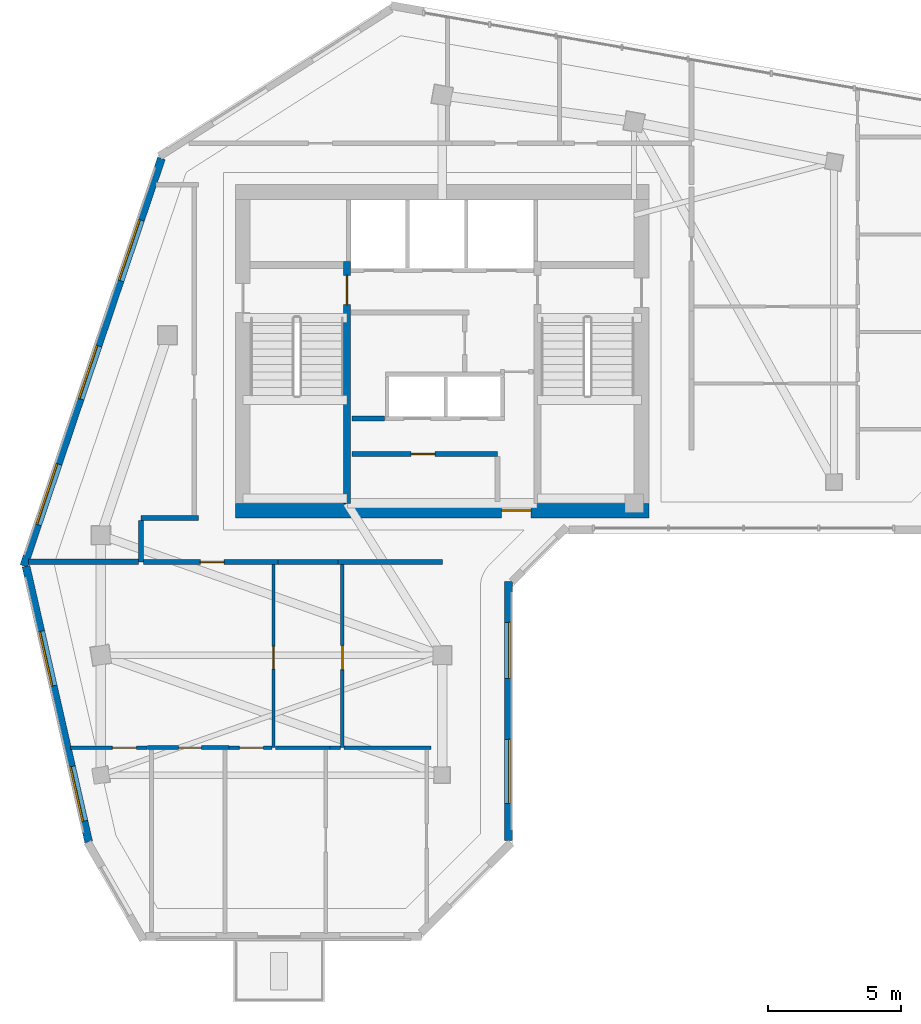
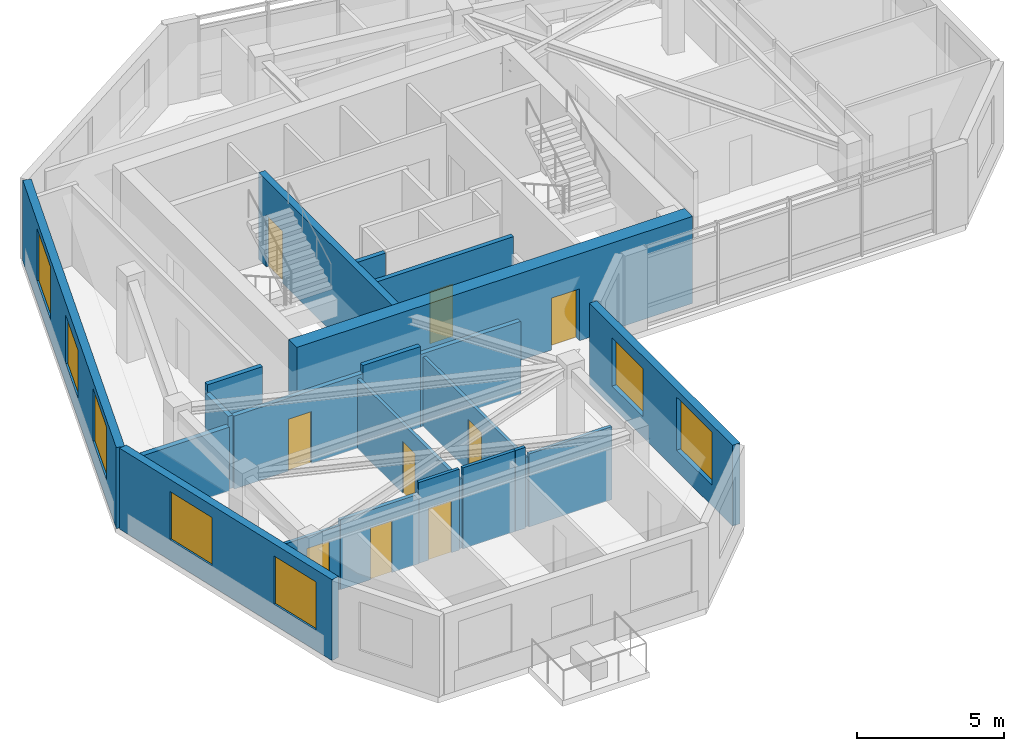
# One storey, part 4 of 10: 21 walls, 9 doors, 7 windows, 16 openings.
"""IFC4 building model written with IfcOpenShell, lengths in metres."""

from ifc_helpers import new_model, si_unit, direction, frame, frame_2d, origin, place, context, subcontext, project, spatial, rectangle, extrude, source, transform, mapped, material, layer, layer_set, type_object, element, fill, save


model = new_model("IFC4")

# Units and contexts
model_context = context("Model", 3, precision=1e-05, world=origin(), true_north=direction((0.0, 1.0)))
body_context = subcontext(model_context, "Body", "Model", "MODEL_VIEW")
ifc_project = project(units=[si_unit("LENGTHUNIT", "METRE"), si_unit("AREAUNIT", "SQUARE_METRE"), si_unit("VOLUMEUNIT", "CUBIC_METRE"), si_unit("PLANEANGLEUNIT", "RADIAN"), si_unit("MASSUNIT", "GRAM", prefix="KILO")], contexts=[model_context])

# Site, building, storey
site_placement = place(None, origin())
site = spatial("IfcSite", under=ifc_project, at=site_placement, CompositionType="ELEMENT")
building_placement = place(site_placement, origin())
building = spatial("IfcBuilding", under=site, at=building_placement, Name="Calvemar Wedge Station Tower", CompositionType="ELEMENT")
storey_placement = place(building_placement, frame((0.0, 0.0, 252.89990234375)))
storey = spatial("IfcBuildingStorey", under=building, at=storey_placement, Name="L64", CompositionType="ELEMENT", Elevation=252.89990234375)

# Wall, opening, door
ifc_material_1 = material(Name="Concrete C50", Category="concrete")
ifc_layer_1 = layer(ifc_material_1, 0.260009765625)
ifc_layer_set_1 = layer_set([ifc_layer_1], Name="Concrete C50")
wall_type_1 = type_object("IfcWallType", Name="SW-CORE-260", PredefinedType="SHEAR", material=ifc_layer_set_1)
wall_1_placement = place(storey_placement, frame((20.22998046875, 34.199951171875, 0.0), z_axis=(0.0, 0.0, 1.0), x_axis=(0.0, 1.0, 0.0)))
wall_1 = element("IfcWall", 1, at=wall_1_placement, inside=storey, type_object=wall_type_1, Name="Storey L64 Core Shear Wall SPINE-W", PredefinedType="SHEAR", context=body_context, shape_type="SweptSolid", body=[
    extrude(rectangle(XDim=9.06005859375, YDim=0.260009765625, at=frame_2d((4.530029296875, 0.0))), origin(), (0.0, 0.0, 1.0), 3.60009765625),
])
shared_shape_1 = source(origin(), body_context, "Body", "SweptSolid", [
    extrude(rectangle(XDim=1.10009765625, YDim=2.14990234375, at=frame_2d((0.550048828125, 1.074951171875))), frame((0.0, 0.14013671875, 0.0), z_axis=(0.0, -1.0, 0.0), x_axis=(1.0, 0.0, 0.0)), (0.0, 0.0, 1.0), 0.280029296875),
])
opening_1_placement = place(wall_1_placement, frame((7.449951171875, 0.0, 0.0)))
opening_1 = element("IfcOpeningElement", 2, at=opening_1_placement, cuts=wall_1, Name="Opening FD-90", PredefinedType="OPENING", context=body_context, shape_type="MappedRepresentation", body=[
    mapped(shared_shape_1, transform((0.0, 0.0, 0.0), scale=1.0)),
])
ifc_material_2 = material(Name="Galvanized fire-rated steel door leaf P-90", Category="steel")
door_type_1 = type_object("IfcDoorType", Name="DR-FD90-1100", OperationType="NOTDEFINED", PredefinedType="DOOR", material=ifc_material_2)
shared_shape_2 = source(origin(), body_context, "Body", "SweptSolid", [
    extrude(rectangle(XDim=1.10009765625, YDim=2.14990234375, at=frame_2d((0.550048828125, 1.074951171875))), frame((0.0, 0.02490234375, 0.0), z_axis=(0.0, -1.0, 0.0), x_axis=(1.0, 0.0, 0.0)), (0.0, 0.0, 1.0), 0.050048828125),
])
door_1_placement = place(opening_1_placement, origin())
door_1 = element("IfcDoor", 3, at=door_1_placement, inside=storey, type_object=door_type_1, Name="L64 FF Lobby to Stair ST-C1 Door", OperationType="SINGLE_SWING_RIGHT", OverallHeight=2.14990234375, OverallWidth=1.10009765625, PredefinedType="DOOR", context=body_context, shape_type="MappedRepresentation", body=[
    mapped(shared_shape_2, transform((0.0, 0.0, 0.0), scale=1.0)),
])
fill(opening_1, door_1)

ifc_material_3 = material(Name="Concrete C60", Category="concrete")
ifc_layer_2 = layer(ifc_material_3, 0.550048828125)
ifc_layer_set_2 = layer_set([ifc_layer_2], Name="Concrete C60")
wall_type_2 = type_object("IfcWallType", Name="SW-CORE-550", PredefinedType="SHEAR", material=ifc_layer_set_2)
wall_2_placement = place(storey_placement, frame((16.050048828125, 33.925048828125, 0.0), z_axis=(0.0, 0.0, 1.0), x_axis=(1.0, 0.0, 0.0)))
wall_2 = element("IfcWall", 4, at=wall_2_placement, inside=storey, type_object=wall_type_2, Name="Storey L64 Core Shear Wall S", PredefinedType="SHEAR", context=body_context, shape_type="SweptSolid", body=[
    extrude(rectangle(XDim=15.5, YDim=0.550048828125, at=frame_2d((7.75, 0.0))), origin(), (0.0, 0.0, 1.0), 3.60009765625),
])
shared_shape_3 = source(origin(), body_context, "Body", "SweptSolid", [
    extrude(rectangle(XDim=1.10009765625, YDim=2.14990234375, at=frame_2d((0.550048828125, 1.074951171875))), frame((0.0, 0.28515625, 0.0), z_axis=(0.0, -1.0, 0.0), x_axis=(1.0, 0.0, 0.0)), (0.0, 0.0, 1.0), 0.570068359375),
])
opening_2_placement = place(wall_2_placement, frame((9.97998046875, 0.0, 0.0)))
opening_2 = element("IfcOpeningElement", 5, at=opening_2_placement, cuts=wall_2, Name="Opening FD-90", PredefinedType="OPENING", context=body_context, shape_type="MappedRepresentation", body=[
    mapped(shared_shape_3, transform((0.0, 0.0, 0.0), scale=1.0)),
])
door_2_placement = place(opening_2_placement, origin())
door_2 = element("IfcDoor", 6, at=door_2_placement, inside=storey, type_object=door_type_1, Name="L64 Passenger Lift Lobby Door", OperationType="SINGLE_SWING_RIGHT", OverallHeight=2.14990234375, OverallWidth=1.10009765625, PredefinedType="DOOR", context=body_context, shape_type="MappedRepresentation", body=[
    mapped(shared_shape_2, transform((0.0, 0.0, 0.0), scale=1.0)),
])
fill(opening_2, door_2)

# Wall
ifc_material_4 = material(Name="Double-stud fire-rated corridor partition")
ifc_layer_3 = layer(ifc_material_4, 0.179931640625)
ifc_layer_set_3 = layer_set([ifc_layer_3], Name="Double-stud fire-rated corridor partition")
wall_type_3 = type_object("IfcWallType", Name="W-CORR-180", PredefinedType="PARTITIONING", material=ifc_layer_set_3)
wall_3_placement = place(storey_placement, frame((21.6298828125, 37.3798828125, 0.0), z_axis=(0.0, 0.0, 1.0), x_axis=(-1.0, 0.0, 0.0)))
element("IfcWall", 7, at=wall_3_placement, inside=storey, type_object=wall_type_3, Name="Storey L64 Interior Partition WL-L64-003", PredefinedType="PARTITIONING", context=body_context, shape_type="SweptSolid", body=[
    extrude(rectangle(XDim=1.2099609375, YDim=0.179931640625, at=frame_2d((0.60498046875, 0.0))), origin(), (0.0, 0.0, 1.0), 3.35009765625),
])

# Wall, opening, door
wall_4_placement = place(storey_placement, frame((20.419921875, 36.050048828125, 0.0), z_axis=(0.0, 0.0, 1.0), x_axis=(1.0, 0.0, 0.0)))
wall_4 = element("IfcWall", 8, at=wall_4_placement, inside=storey, type_object=wall_type_3, Name="Storey L64 Interior Partition WL-L64-005", PredefinedType="PARTITIONING", context=body_context, shape_type="SweptSolid", body=[
    extrude(rectangle(XDim=5.4599609375, YDim=0.179931640625, at=frame_2d((2.72998046875, 0.0))), origin(), (0.0, 0.0, 1.0), 3.35009765625),
])
shared_shape_4 = source(origin(), body_context, "Body", "SweptSolid", [
    extrude(rectangle(XDim=0.89990234375, YDim=2.14990234375, at=frame_2d((0.449951171875, 1.074951171875))), frame((0.0, 0.10009765625, 0.0), z_axis=(0.0, -1.0, 0.0), x_axis=(1.0, 0.0, 0.0)), (0.0, 0.0, 1.0), 0.199951171875),
])
opening_3_placement = place(wall_4_placement, frame((2.219482421875, 0.0, 0.0)))
opening_3 = element("IfcOpeningElement", 9, at=opening_3_placement, cuts=wall_4, Name="Opening FD-60", PredefinedType="OPENING", context=body_context, shape_type="MappedRepresentation", body=[
    mapped(shared_shape_4, transform((0.0, 0.0, 0.0), scale=1.0)),
])
ifc_material_5 = material(Name="Fire-rated acoustic timber-core entrance door EI 60", Category="wood")
door_type_2 = type_object("IfcDoorType", Name="DR-FD60-900", OperationType="NOTDEFINED", PredefinedType="DOOR", material=ifc_material_5)
shared_shape_5 = source(origin(), body_context, "Body", "SweptSolid", [
    extrude(rectangle(XDim=0.89990234375, YDim=2.14990234375, at=frame_2d((0.449951171875, 1.074951171875))), frame((0.0, 0.02490234375, 0.0), z_axis=(0.0, -1.0, 0.0), x_axis=(1.0, 0.0, 0.0)), (0.0, 0.0, 1.0), 0.050048828125),
])
door_3_placement = place(opening_3_placement, origin())
door_3 = element("IfcDoor", 10, at=door_3_placement, inside=storey, type_object=door_type_2, Name="L64 Wine and Parcel Store Door", OperationType="SINGLE_SWING_LEFT", OverallHeight=2.14990234375, OverallWidth=0.89990234375, PredefinedType="DOOR", context=body_context, shape_type="MappedRepresentation", body=[
    mapped(shared_shape_5, transform((0.0, 0.0, 0.0), scale=1.0)),
])
fill(opening_3, door_3)

# Walls
wall_5_placement = place(storey_placement, frame((12.5, 33.64990234375, 0.0), z_axis=(0.0, 0.0, 1.0), x_axis=(1.0, 0.0, 0.0)))
element("IfcWall", 11, at=wall_5_placement, inside=storey, type_object=wall_type_3, Name="Storey L64 Interior Partition WL-L64-007", PredefinedType="PARTITIONING", context=body_context, shape_type="SweptSolid", body=[
    extrude(rectangle(XDim=2.159912109375, YDim=0.179931640625, at=frame_2d((1.080078125, 0.0))), origin(), (0.0, 0.0, 1.0), 3.35009765625),
])
wall_6_placement = place(storey_placement, frame((12.5, 32.0, 0.0), z_axis=(0.0, 0.0, 1.0), x_axis=(0.0, 1.0, 0.0)))
element("IfcWall", 12, at=wall_6_placement, inside=storey, type_object=wall_type_3, Name="Storey L64 Interior Partition WL-L64-008", PredefinedType="PARTITIONING", context=body_context, shape_type="SweptSolid", body=[
    extrude(rectangle(XDim=1.555908203125, YDim=0.179931640625, at=frame_2d((0.77783203125, 0.0))), origin(), (0.0, 0.0, 1.0), 3.01904296875),
])
wall_7_placement = place(storey_placement, frame((23.818115234375, 32.0, 0.0), z_axis=(0.0, 0.0, 1.0), x_axis=(-1.0, 0.0, 0.0)))
element("IfcWall", 13, at=wall_7_placement, inside=storey, type_object=wall_type_3, Name="Storey L64 Interior Partition WL-L64-009", PredefinedType="PARTITIONING", context=body_context, shape_type="SweptSolid", body=[
    extrude(rectangle(XDim=3.920166015625, YDim=0.179931640625, at=frame_2d((1.9599609375, 0.0))), origin(), (0.0, 0.0, 1.0), 3.01904296875),
])

# Wall, opening, door
wall_8_placement = place(storey_placement, frame((17.635009765625, 32.0, 0.0), z_axis=(0.0, 0.0, 1.0), x_axis=(-1.0, 0.0, 0.0)))
wall_8 = element("IfcWall", 14, at=wall_8_placement, inside=storey, type_object=wall_type_3, Name="Storey L64 Interior Partition WL-L64-010", PredefinedType="PARTITIONING", context=body_context, shape_type="SweptSolid", body=[
    extrude(rectangle(XDim=5.041015625, YDim=0.179931640625, at=frame_2d((2.5205078125, 0.0))), origin(), (0.0, 0.0, 1.0), 3.01904296875),
])
opening_4_placement = place(wall_8_placement, frame((2.0087890625, 0.0, 0.0)))
opening_4 = element("IfcOpeningElement", 15, at=opening_4_placement, cuts=wall_8, Name="Opening FD-60", PredefinedType="OPENING", context=body_context, shape_type="MappedRepresentation", body=[
    mapped(shared_shape_4, transform((0.0, 0.0, 0.0), scale=1.0)),
])
door_4_placement = place(opening_4_placement, origin())
door_4 = element("IfcDoor", 16, at=door_4_placement, inside=storey, type_object=door_type_2, Name="L64 Living Dining Door", OperationType="SINGLE_SWING_LEFT", OverallHeight=2.14990234375, OverallWidth=0.89990234375, PredefinedType="DOOR", context=body_context, shape_type="MappedRepresentation", body=[
    mapped(shared_shape_5, transform((0.0, 0.0, 0.0), scale=1.0)),
])
fill(opening_4, door_4)

# Walls
wall_9_placement = place(storey_placement, frame((19.89599609375, 32.0, 0.0), z_axis=(0.0, 0.0, 1.0), x_axis=(-1.0, 0.0, 0.0)))
element("IfcWall", 17, at=wall_9_placement, inside=storey, type_object=wall_type_3, Name="Storey L64 Interior Partition WL-L64-011", PredefinedType="PARTITIONING", context=body_context, shape_type="SweptSolid", body=[
    extrude(rectangle(XDim=2.259033203125, YDim=0.179931640625, at=frame_2d((1.12939453125, 0.0))), origin(), (0.0, 0.0, 1.0), 3.35009765625),
])
ifc_material_6 = material(Name="Twin-stud fire-rated inter-tenancy wall")
ifc_layer_4 = layer(ifc_material_6, 0.199951171875)
ifc_layer_set_4 = layer_set([ifc_layer_4], Name="Twin-stud fire-rated inter-tenancy wall")
wall_type_4 = type_object("IfcWallType", Name="W-DEMISE-200", PredefinedType="PARTITIONING", material=ifc_layer_set_4)
wall_10_placement = place(storey_placement, frame((12.406005859375, 32.0, 0.0), z_axis=(0.0, 0.0, 1.0), x_axis=(-1.0, 0.0, 0.0)))
element("IfcWall", 18, at=wall_10_placement, inside=storey, type_object=wall_type_4, Name="Storey L64 Interior Partition WL-L64-021", PredefinedType="PARTITIONING", context=body_context, shape_type="SweptSolid", body=[
    extrude(rectangle(XDim=4.126220703125, YDim=0.199951171875, at=frame_2d((2.06298828125, 0.0))), origin(), (0.0, 0.0, 1.0), 2.64208984375),
])

# Wall, openings, windows
ifc_material_7 = material(Name="Precast concrete C45", Category="concrete")
ifc_layer_5 = layer(ifc_material_7, 0.300048828125)
ifc_layer_set_5 = layer_set([ifc_layer_5], Name="Precast concrete C45")
wall_type_5 = type_object("IfcWallType", Name="W-EXT-GFRC-300", PredefinedType="SOLIDWALL", material=ifc_layer_set_5)
wall_11_placement = place(storey_placement, frame((26.281982421875, 21.557373046875, 0.0), z_axis=(0.0, 0.0, 1.0), x_axis=(0.0, 1.0, 0.0)))
wall_11 = element("IfcWall", 19, at=wall_11_placement, inside=storey, type_object=wall_type_5, Name="Storey L64 Bronze GFRC Exterior Wall 4", PredefinedType="SOLIDWALL", context=body_context, shape_type="SweptSolid", body=[
    extrude(rectangle(XDim=9.710693359375, YDim=0.300048828125, at=frame_2d((4.85546875, 0.0))), origin(), (0.0, 0.0, 1.0), 3.35009765625),
])
shared_shape_6 = source(origin(), body_context, "Body", "SweptSolid", [
    extrude(rectangle(XDim=2.39990234375, YDim=2.199951171875, at=frame_2d((1.199951171875, 1.10009765625))), frame((0.0, 0.16015625, 0.0), z_axis=(0.0, -1.0, 0.0), x_axis=(1.0, 0.0, 0.0)), (0.0, 0.0, 1.0), 0.320068359375),
])
opening_5_placement = place(wall_11_placement, frame((1.387939453125, 0.0, 0.85009765625)))
opening_5 = element("IfcOpeningElement", 20, at=opening_5_placement, cuts=wall_11, Name="Opening W1", PredefinedType="OPENING", context=body_context, shape_type="MappedRepresentation", body=[
    mapped(shared_shape_6, transform((0.0, 0.0, 0.0), scale=1.0)),
])
shared_shape_7 = source(origin(), body_context, "Body", "SweptSolid", [
    extrude(rectangle(XDim=2.10009765625, YDim=2.0, at=frame_2d((1.050048828125, 1.0))), frame((0.0, 0.16015625, 0.0), z_axis=(0.0, -1.0, 0.0), x_axis=(1.0, 0.0, 0.0)), (0.0, 0.0, 1.0), 0.320068359375),
])
opening_6_placement = place(wall_11_placement, frame((6.072998046875, 0.0, 0.85009765625)))
opening_6 = element("IfcOpeningElement", 21, at=opening_6_placement, cuts=wall_11, Name="Opening W4", PredefinedType="OPENING", context=body_context, shape_type="MappedRepresentation", body=[
    mapped(shared_shape_7, transform((0.0, 0.0, 0.0), scale=1.0)),
])
ifc_material_8 = material(Name="Low-E laminated insulated glass", Category="glass")
window_type_1 = type_object("IfcWindowType", Name="WIN-EXT-4", PartitioningType="SINGLE_PANEL", PredefinedType="WINDOW", material=ifc_material_8)
shared_shape_8 = source(origin(), body_context, "Body", "SweptSolid", [
    extrude(rectangle(XDim=2.10009765625, YDim=2.0, at=frame_2d((1.050048828125, 1.0))), frame((0.0, -0.014892578125, 0.0), z_axis=(0.0, -1.0, 0.0), x_axis=(1.0, 0.0, 0.0)), (0.0, 0.0, 1.0), 0.06005859375),
])
window_1_placement = place(opening_6_placement, origin())
window_1 = element("IfcWindow", 22, at=window_1_placement, inside=storey, type_object=window_type_1, Name="Storey L64 Recessed Window 4.2", OverallHeight=2.0, OverallWidth=2.10009765625, PartitioningType="SINGLE_PANEL", PredefinedType="WINDOW", context=body_context, shape_type="MappedRepresentation", body=[
    mapped(shared_shape_8, transform((0.0, 0.0, 0.0), scale=1.0)),
])
fill(opening_6, window_1)
window_type_2 = type_object("IfcWindowType", Name="WIN-EXT-1", PartitioningType="SINGLE_PANEL", PredefinedType="WINDOW", material=ifc_material_8)
shared_shape_9 = source(origin(), body_context, "Body", "SweptSolid", [
    extrude(rectangle(XDim=2.39990234375, YDim=2.199951171875, at=frame_2d((1.199951171875, 1.10009765625))), frame((0.0, -0.014892578125, 0.0), z_axis=(0.0, -1.0, 0.0), x_axis=(1.0, 0.0, 0.0)), (0.0, 0.0, 1.0), 0.06005859375),
])
window_2_placement = place(opening_5_placement, origin())
window_2 = element("IfcWindow", 23, at=window_2_placement, inside=storey, type_object=window_type_2, Name="Storey L64 Recessed Window 4.1", OverallHeight=2.199951171875, OverallWidth=2.39990234375, PartitioningType="SINGLE_PANEL", PredefinedType="WINDOW", context=body_context, shape_type="MappedRepresentation", body=[
    mapped(shared_shape_9, transform((0.0, 0.0, 0.0), scale=1.0)),
])
fill(opening_5, window_2)

wall_12_placement = place(storey_placement, frame((13.2685546875, 47.1337890625, 0.0), z_axis=(0.0, 0.0, 1.0), x_axis=(-0.3199211297, -0.947444178182, 0.0)))
wall_12 = element("IfcWall", 24, at=wall_12_placement, inside=storey, type_object=wall_type_5, Name="Storey L64 Bronze GFRC Exterior Wall 12", PredefinedType="SOLIDWALL", context=body_context, shape_type="SweptSolid", body=[
    extrude(rectangle(XDim=16.1318359375, YDim=0.300048828125, at=frame_2d((8.06591796875, 0.0))), origin(), (0.0, 0.0, 1.0), 3.35009765625),
])
opening_7_placement = place(wall_12_placement, frame((2.43505859375, 0.0, 0.85009765625)))
opening_7 = element("IfcOpeningElement", 25, at=opening_7_placement, cuts=wall_12, Name="Opening W1", PredefinedType="OPENING", context=body_context, shape_type="MappedRepresentation", body=[
    mapped(shared_shape_6, transform((0.0, 0.0, 0.0), scale=1.0)),
])
opening_8_placement = place(wall_12_placement, frame((7.4169921875, 0.0, 0.85009765625)))
opening_8 = element("IfcOpeningElement", 26, at=opening_8_placement, cuts=wall_12, Name="Opening W4", PredefinedType="OPENING", context=body_context, shape_type="MappedRepresentation", body=[
    mapped(shared_shape_7, transform((0.0, 0.0, 0.0), scale=1.0)),
])
opening_9_placement = place(wall_12_placement, frame((12.09912109375, 0.0, 0.85009765625)))
opening_9 = element("IfcOpeningElement", 27, at=opening_9_placement, cuts=wall_12, Name="Opening W1", PredefinedType="OPENING", context=body_context, shape_type="MappedRepresentation", body=[
    mapped(shared_shape_6, transform((0.0, 0.0, 0.0), scale=1.0)),
])
window_3_placement = place(opening_8_placement, origin())
window_3 = element("IfcWindow", 28, at=window_3_placement, inside=storey, type_object=window_type_1, Name="Storey L64 Recessed Window 12.2", OverallHeight=2.0, OverallWidth=2.10009765625, PartitioningType="SINGLE_PANEL", PredefinedType="WINDOW", context=body_context, shape_type="MappedRepresentation", body=[
    mapped(shared_shape_8, transform((0.0, 0.0, 0.0), scale=1.0)),
])
fill(opening_8, window_3)
window_4_placement = place(opening_7_placement, origin())
window_4 = element("IfcWindow", 29, at=window_4_placement, inside=storey, type_object=window_type_2, Name="Storey L64 Recessed Window 12.1", OverallHeight=2.199951171875, OverallWidth=2.39990234375, PartitioningType="SINGLE_PANEL", PredefinedType="WINDOW", context=body_context, shape_type="MappedRepresentation", body=[
    mapped(shared_shape_9, transform((0.0, 0.0, 0.0), scale=1.0)),
])
fill(opening_7, window_4)
window_5_placement = place(opening_9_placement, origin())
window_5 = element("IfcWindow", 30, at=window_5_placement, inside=storey, type_object=window_type_2, Name="Storey L64 Recessed Window 12.3", OverallHeight=2.199951171875, OverallWidth=2.39990234375, PartitioningType="SINGLE_PANEL", PredefinedType="WINDOW", context=body_context, shape_type="MappedRepresentation", body=[
    mapped(shared_shape_9, transform((0.0, 0.0, 0.0), scale=1.0)),
])
fill(opening_9, window_5)

wall_13_placement = place(storey_placement, frame((8.19140625, 31.834228515625, 0.0), z_axis=(0.0, 0.0, 1.0), x_axis=(0.221636032737, -0.975129462683, 0.0)))
wall_13 = element("IfcWall", 31, at=wall_13_placement, inside=storey, type_object=wall_type_5, Name="Storey L64 Bronze GFRC Exterior Wall 13", PredefinedType="SOLIDWALL", context=body_context, shape_type="SweptSolid", body=[
    extrude(rectangle(XDim=10.602294921875, YDim=0.300048828125, at=frame_2d((5.30126953125, 0.0))), origin(), (0.0, 0.0, 1.0), 3.35009765625),
])
opening_10_placement = place(wall_13_placement, frame((2.5009765625, 0.0, 0.85009765625)))
opening_10 = element("IfcOpeningElement", 32, at=opening_10_placement, cuts=wall_13, Name="Opening W4", PredefinedType="OPENING", context=body_context, shape_type="MappedRepresentation", body=[
    mapped(shared_shape_7, transform((0.0, 0.0, 0.0), scale=1.0)),
])
opening_11_placement = place(wall_13_placement, frame((7.701904296875, 0.0, 0.85009765625)))
opening_11 = element("IfcOpeningElement", 33, at=opening_11_placement, cuts=wall_13, Name="Opening W4", PredefinedType="OPENING", context=body_context, shape_type="MappedRepresentation", body=[
    mapped(shared_shape_7, transform((0.0, 0.0, 0.0), scale=1.0)),
])
window_6_placement = place(opening_10_placement, origin())
window_6 = element("IfcWindow", 34, at=window_6_placement, inside=storey, type_object=window_type_1, Name="Storey L64 Recessed Window 13.1", OverallHeight=2.0, OverallWidth=2.10009765625, PartitioningType="SINGLE_PANEL", PredefinedType="WINDOW", context=body_context, shape_type="MappedRepresentation", body=[
    mapped(shared_shape_8, transform((0.0, 0.0, 0.0), scale=1.0)),
])
fill(opening_10, window_6)
window_7_placement = place(opening_11_placement, origin())
window_7 = element("IfcWindow", 35, at=window_7_placement, inside=storey, type_object=window_type_1, Name="Storey L64 Recessed Window 13.2", OverallHeight=2.0, OverallWidth=2.10009765625, PartitioningType="SINGLE_PANEL", PredefinedType="WINDOW", context=body_context, shape_type="MappedRepresentation", body=[
    mapped(shared_shape_8, transform((0.0, 0.0, 0.0), scale=1.0)),
])
fill(opening_11, window_7)

# Wall, opening, door
ifc_material_9 = material(Name="Insulated acoustic gypsum stud partition")
ifc_layer_6 = layer(ifc_material_9, 0.125)
ifc_layer_set_6 = layer_set([ifc_layer_6], Name="Insulated acoustic gypsum stud partition")
wall_type_6 = type_object("IfcWallType", Name="W-PART-125", PredefinedType="PARTITIONING", material=ifc_layer_set_6)
wall_14_placement = place(storey_placement, frame((20.05810546875, 25.031982421875, 0.0), z_axis=(0.0, 0.0, 1.0), x_axis=(0.0, 1.0, 0.0)))
wall_14 = element("IfcWall", 36, at=wall_14_placement, inside=storey, type_object=wall_type_6, Name="Storey L64 Interior Partition WL-L64-038", PredefinedType="PARTITIONING", context=body_context, shape_type="SweptSolid", body=[
    extrude(rectangle(XDim=6.8740234375, YDim=0.125, at=frame_2d((3.43701171875, 0.0))), origin(), (0.0, 0.0, 1.0), 2.879150390625),
])
shared_shape_10 = source(origin(), body_context, "Body", "SweptSolid", [
    extrude(rectangle(XDim=0.89990234375, YDim=2.14990234375, at=frame_2d((0.449951171875, 1.074951171875))), frame((0.0, 0.072509765625, 0.0), z_axis=(0.0, -1.0, 0.0), x_axis=(1.0, 0.0, 0.0)), (0.0, 0.0, 1.0), 0.14501953125),
])
opening_12_placement = place(wall_14_placement, frame((2.9267578125, 0.0, 0.0)))
opening_12 = element("IfcOpeningElement", 37, at=opening_12_placement, cuts=wall_14, Name="Opening D-01", PredefinedType="OPENING", context=body_context, shape_type="MappedRepresentation", body=[
    mapped(shared_shape_10, transform((0.0, 0.0, 0.0), scale=1.0)),
])
ifc_material_10 = material(Name="Architectural hardwood acoustic swing door", Category="wood")
door_type_3 = type_object("IfcDoorType", Name="DR-INT-900", OperationType="NOTDEFINED", PredefinedType="DOOR", material=ifc_material_10)
shared_shape_11 = source(origin(), body_context, "Body", "SweptSolid", [
    extrude(rectangle(XDim=0.89990234375, YDim=2.14990234375, at=frame_2d((0.449951171875, 1.074951171875))), frame((0.0, 0.02490234375, 0.0), z_axis=(0.0, -1.0, 0.0), x_axis=(1.0, 0.0, 0.0)), (0.0, 0.0, 1.0), 0.050048828125),
])
door_5_placement = place(opening_12_placement, origin())
door_5 = element("IfcDoor", 38, at=door_5_placement, inside=storey, type_object=door_type_3, Name="L64 Study Door", OperationType="SINGLE_SWING_RIGHT", OverallHeight=2.14990234375, OverallWidth=0.89990234375, PredefinedType="DOOR", context=body_context, shape_type="MappedRepresentation", body=[
    mapped(shared_shape_11, transform((0.0, 0.0, 0.0), scale=1.0)),
])
fill(opening_12, door_5)

# Wall
wall_15_placement = place(storey_placement, frame((23.376953125, 25.031982421875, 0.0), z_axis=(0.0, 0.0, 1.0), x_axis=(-1.0, 0.0, 0.0)))
element("IfcWall", 39, at=wall_15_placement, inside=storey, type_object=wall_type_6, Name="Storey L64 Interior Partition WL-L64-039", PredefinedType="PARTITIONING", context=body_context, shape_type="SweptSolid", body=[
    extrude(rectangle(XDim=3.25244140625, YDim=0.125, at=frame_2d((1.626220703125, 0.0))), origin(), (0.0, 0.0, 1.0), 3.01904296875),
])

# Wall, opening, door
wall_16_placement = place(storey_placement, frame((17.47509765625, 31.906005859375, 0.0), z_axis=(0.0, 0.0, 1.0), x_axis=(0.0, -1.0, 0.0)))
wall_16 = element("IfcWall", 40, at=wall_16_placement, inside=storey, type_object=wall_type_6, Name="Storey L64 Interior Partition WL-L64-040", PredefinedType="PARTITIONING", context=body_context, shape_type="SweptSolid", body=[
    extrude(rectangle(XDim=6.8740234375, YDim=0.125, at=frame_2d((3.43701171875, 0.0))), origin(), (0.0, 0.0, 1.0), 2.879150390625),
])
shared_shape_12 = source(origin(), body_context, "Body", "SweptSolid", [
    extrude(rectangle(XDim=0.85009765625, YDim=2.14990234375, at=frame_2d((0.425048828125, 1.074951171875))), frame((0.0, 0.072509765625, 0.0), z_axis=(0.0, -1.0, 0.0), x_axis=(1.0, 0.0, 0.0)), (0.0, 0.0, 1.0), 0.14501953125),
])
opening_13_placement = place(wall_16_placement, frame((3.07275390625, 0.0, 0.0)))
opening_13 = element("IfcOpeningElement", 41, at=opening_13_placement, cuts=wall_16, Name="Opening D-02", PredefinedType="OPENING", context=body_context, shape_type="MappedRepresentation", body=[
    mapped(shared_shape_12, transform((0.0, 0.0, 0.0), scale=1.0)),
])
ifc_material_11 = material(Name="Moisture-sealed bathroom hardwood swing door", Category="wood")
door_type_4 = type_object("IfcDoorType", Name="DR-WET-850", OperationType="NOTDEFINED", PredefinedType="DOOR", material=ifc_material_11)
shared_shape_13 = source(origin(), body_context, "Body", "SweptSolid", [
    extrude(rectangle(XDim=0.85009765625, YDim=2.14990234375, at=frame_2d((0.425048828125, 1.074951171875))), frame((0.0, 0.02490234375, 0.0), z_axis=(0.0, -1.0, 0.0), x_axis=(1.0, 0.0, 0.0)), (0.0, 0.0, 1.0), 0.050048828125),
])
door_6_placement = place(opening_13_placement, origin())
door_6 = element("IfcDoor", 42, at=door_6_placement, inside=storey, type_object=door_type_4, Name="L64 Kitchen Door", OperationType="SINGLE_SWING_RIGHT", OverallHeight=2.14990234375, OverallWidth=0.85009765625, PredefinedType="DOOR", context=body_context, shape_type="MappedRepresentation", body=[
    mapped(shared_shape_13, transform((0.0, 0.0, 0.0), scale=1.0)),
])
fill(opening_13, door_6)

wall_17_placement = place(storey_placement, frame((12.738037109375, 25.031982421875, 0.0), z_axis=(0.0, 0.0, 1.0), x_axis=(-1.0, 0.0, 0.0)))
wall_17 = element("IfcWall", 43, at=wall_17_placement, inside=storey, type_object=wall_type_6, Name="Storey L64 Interior Partition WL-L64-042", PredefinedType="PARTITIONING", context=body_context, shape_type="SweptSolid", body=[
    extrude(rectangle(XDim=2.882568359375, YDim=0.125, at=frame_2d((1.44140625, 0.0))), origin(), (0.0, 0.0, 1.0), 2.64208984375),
])
opening_14_placement = place(wall_17_placement, frame((0.4091796875, 0.0, 0.0)))
opening_14 = element("IfcOpeningElement", 44, at=opening_14_placement, cuts=wall_17, Name="Opening D-01", PredefinedType="OPENING", context=body_context, shape_type="MappedRepresentation", body=[
    mapped(shared_shape_10, transform((0.0, 0.0, 0.0), scale=1.0)),
])
door_7_placement = place(opening_14_placement, origin())
door_7 = element("IfcDoor", 45, at=door_7_placement, inside=storey, type_object=door_type_3, Name="L64 Bedroom Door", OperationType="SINGLE_SWING_RIGHT", OverallHeight=2.14990234375, OverallWidth=0.89990234375, PredefinedType="DOOR", context=body_context, shape_type="MappedRepresentation", body=[
    mapped(shared_shape_11, transform((0.0, 0.0, 0.0), scale=1.0)),
])
fill(opening_14, door_7)

wall_18_placement = place(storey_placement, frame((17.408447265625, 25.031982421875, 0.0), z_axis=(0.0, 0.0, 1.0), x_axis=(-1.0, 0.0, 0.0)))
wall_18 = element("IfcWall", 46, at=wall_18_placement, inside=storey, type_object=wall_type_6, Name="Storey L64 Interior Partition WL-L64-043", PredefinedType="PARTITIONING", context=body_context, shape_type="SweptSolid", body=[
    extrude(rectangle(XDim=1.596435546875, YDim=0.125, at=frame_2d((0.79833984375, 0.0))), origin(), (0.0, 0.0, 1.0), 3.35009765625),
])
opening_15_placement = place(wall_18_placement, frame((0.314208984375, 0.0, 0.0)))
opening_15 = element("IfcOpeningElement", 47, at=opening_15_placement, cuts=wall_18, Name="Opening D-01", PredefinedType="OPENING", context=body_context, shape_type="MappedRepresentation", body=[
    mapped(shared_shape_10, transform((0.0, 0.0, 0.0), scale=1.0)),
])
door_8_placement = place(opening_15_placement, origin())
door_8 = element("IfcDoor", 48, at=door_8_placement, inside=storey, type_object=door_type_3, Name="L64 Master Bedroom Door", OperationType="SINGLE_SWING_LEFT", OverallHeight=2.14990234375, OverallWidth=0.89990234375, PredefinedType="DOOR", context=body_context, shape_type="MappedRepresentation", body=[
    mapped(shared_shape_11, transform((0.0, 0.0, 0.0), scale=1.0)),
])
fill(opening_15, door_8)

# Walls
wall_19_placement = place(storey_placement, frame((19.593994140625, 25.031982421875, 0.0), z_axis=(0.0, 0.0, 1.0), x_axis=(-1.0, 0.0, 0.0)))
element("IfcWall", 49, at=wall_19_placement, inside=storey, type_object=wall_type_6, Name="Storey L64 Interior Partition WL-L64-044", PredefinedType="PARTITIONING", context=body_context, shape_type="SweptSolid", body=[
    extrude(rectangle(XDim=2.052490234375, YDim=0.125, at=frame_2d((1.0263671875, 0.0))), origin(), (0.0, 0.0, 1.0), 3.35009765625),
])
wall_20_placement = place(storey_placement, frame((19.991455078125, 25.031982421875, 0.0), z_axis=(0.0, 0.0, 1.0), x_axis=(-1.0, 0.0, 0.0)))
element("IfcWall", 50, at=wall_20_placement, inside=storey, type_object=wall_type_6, Name="Storey L64 Interior Partition WL-L64-045", PredefinedType="PARTITIONING", context=body_context, shape_type="SweptSolid", body=[
    extrude(rectangle(XDim=0.3955078125, YDim=0.125, at=frame_2d((0.19775390625, 0.0))), origin(), (0.0, 0.0, 1.0), 3.35009765625),
])

# Wall, opening, door
ifc_material_12 = material(Name="Moisture-resistant acoustic bathroom partition")
ifc_layer_7 = layer(ifc_material_12, 0.14990234375)
ifc_layer_set_7 = layer_set([ifc_layer_7], Name="Moisture-resistant acoustic bathroom partition")
wall_type_7 = type_object("IfcWallType", Name="W-WET-150", PredefinedType="PARTITIONING", material=ifc_layer_set_7)
wall_21_placement = place(storey_placement, frame((15.81005859375, 25.031982421875, 0.0), z_axis=(0.0, 0.0, 1.0), x_axis=(-1.0, 0.0, 0.0)))
wall_21 = element("IfcWall", 51, at=wall_21_placement, inside=storey, type_object=wall_type_7, Name="Storey L64 Interior Partition WL-L64-041", PredefinedType="PARTITIONING", context=body_context, shape_type="SweptSolid", body=[
    extrude(rectangle(XDim=3.070068359375, YDim=0.14990234375, at=frame_2d((1.53515625, 0.0))), origin(), (0.0, 0.0, 1.0), 2.879150390625),
])
shared_shape_14 = source(origin(), body_context, "Body", "SweptSolid", [
    extrude(rectangle(XDim=0.85009765625, YDim=2.14990234375, at=frame_2d((0.425048828125, 1.074951171875))), frame((0.0, 0.0849609375, 0.0), z_axis=(0.0, -1.0, 0.0), x_axis=(1.0, 0.0, 0.0)), (0.0, 0.0, 1.0), 0.169921875),
])
opening_16_placement = place(wall_21_placement, frame((1.046142578125, 0.0, 0.0)))
opening_16 = element("IfcOpeningElement", 52, at=opening_16_placement, cuts=wall_21, Name="Opening D-02", PredefinedType="OPENING", context=body_context, shape_type="MappedRepresentation", body=[
    mapped(shared_shape_14, transform((0.0, 0.0, 0.0), scale=1.0)),
])
door_9_placement = place(opening_16_placement, origin())
door_9 = element("IfcDoor", 53, at=door_9_placement, inside=storey, type_object=door_type_4, Name="L64 Bathroom Door", OperationType="SINGLE_SWING_LEFT", OverallHeight=2.14990234375, OverallWidth=0.85009765625, PredefinedType="DOOR", context=body_context, shape_type="MappedRepresentation", body=[
    mapped(shared_shape_13, transform((0.0, 0.0, 0.0), scale=1.0)),
])
fill(opening_16, door_9)

save(model, "model.ifc")
